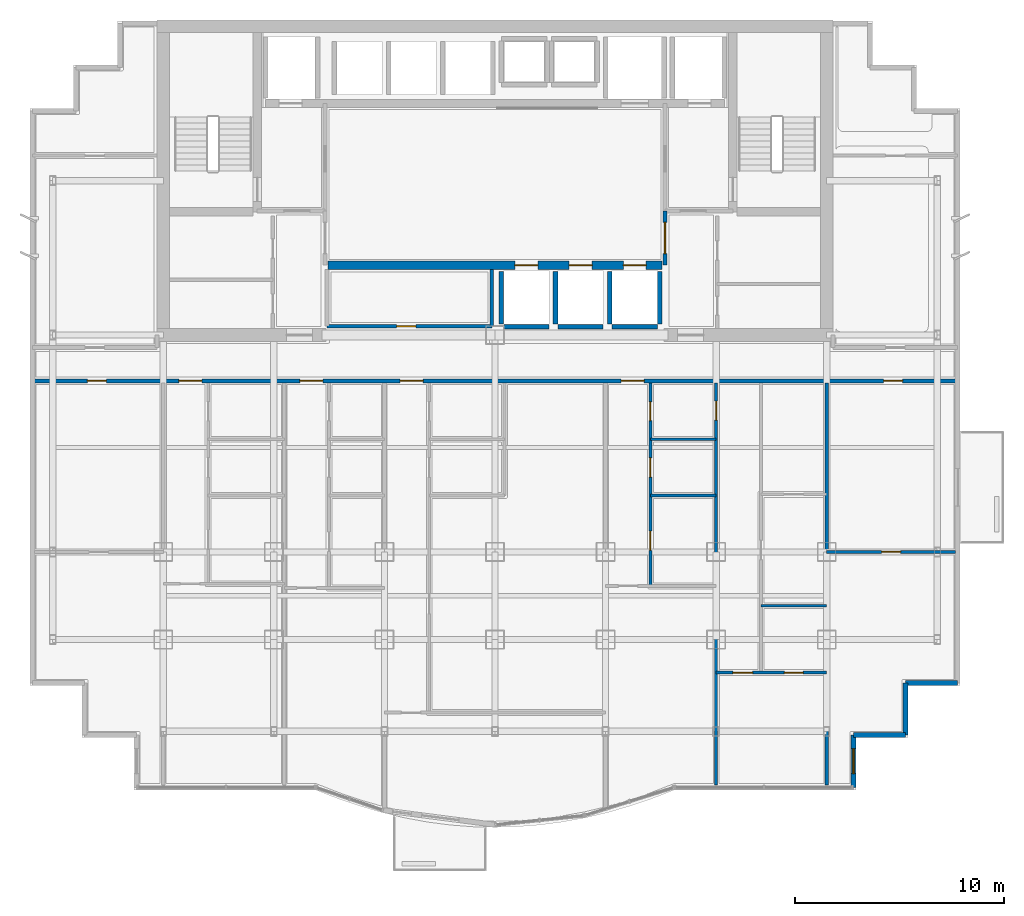
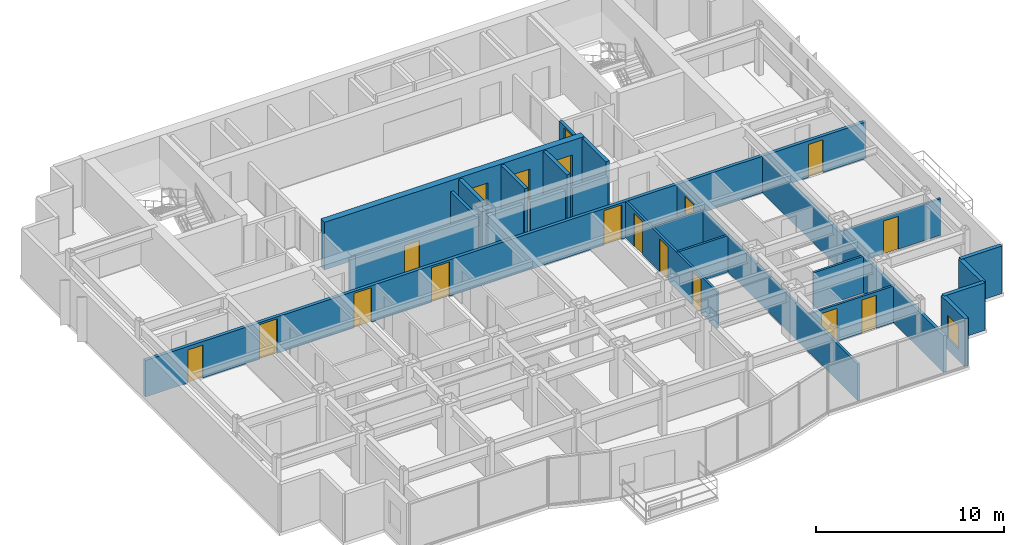
# One storey, part 7 of 11: 24 walls, 18 doors, 1 window, 19 openings.
"""IFC4 building model written with IfcOpenShell, lengths in metres."""

import ifcopenshell
import ifcopenshell.guid

model = None  # the IFC model being written
_history = None  # IfcOwnerHistory: only IFC2X3 demands one
_inside = {}  # id of a spatial element -> (the spatial element, [elements in it])
_under = {}  # id of a project, library or spatial element -> (it, [spatial elements below it])
_declared = {}  # id of a project -> (the project, [libraries it declares])
_typed = {}  # id of a type object -> (the type object, [elements of that type])
_made_of = {}  # id of a material, layer set ... -> (it, [elements and type objects made of it])


def new_model(schema):
    """Start an empty IFC model of exactly this schema.

    Asked for "IFC4X3", IfcOpenShell would pick the latest addendum, in which some entities
    have other attributes; the version numbers below select the first issue.
    IFC2X3 requires an IfcOwnerHistory on every rooted entity: one is made here for all.
    """
    global model, _history
    if schema == "IFC4X3":
        model = ifcopenshell.file(schema_version=(4, 3, 0, 0))
    else:
        model = ifcopenshell.file(schema=schema)
    _inside.clear()
    _under.clear()
    _declared.clear()
    _typed.clear()
    _made_of.clear()
    _history = None
    if model.schema == "IFC2X3":
        org = make("IfcOrganization", Name="unknown")
        user = make(
            "IfcPersonAndOrganization",
            ThePerson=make("IfcPerson", FamilyName="unknown"),
            TheOrganization=org,
        )
        app = make(
            "IfcApplication",
            ApplicationDeveloper=org,
            Version="unknown",
            ApplicationFullName="unknown",
            ApplicationIdentifier="unknown",
        )
        _history = make(
            "IfcOwnerHistory",
            OwningUser=user,
            OwningApplication=app,
            ChangeAction="ADDED",
            CreationDate=0,
        )
    return model


def make(cls, **values):
    """One entity of the class cls with the attributes given. An attribute that is None is left unset."""
    return model.create_entity(
        cls, **{name: value for name, value in values.items() if value is not None}
    )


def rooted(cls, **values):
    """An entity with a GlobalId (a new one), such as an element, a storey or a relation."""
    return make(cls, GlobalId=ifcopenshell.guid.new(), OwnerHistory=_history, **values)


def si_unit(unit_type, name, prefix=None):
    """IfcSIUnit, for example si_unit("LENGTHUNIT", "METRE", prefix="MILLI")."""
    return make("IfcSIUnit", UnitType=unit_type, Prefix=prefix, Name=name)


def assignment(units):
    """IfcUnitAssignment: the units of a project."""
    return None if units is None else make("IfcUnitAssignment", Units=units)


def point(xyz):
    """IfcCartesianPoint."""
    return None if xyz is None else make("IfcCartesianPoint", Coordinates=xyz)


def direction(xyz):
    """IfcDirection."""
    return None if xyz is None else make("IfcDirection", DirectionRatios=xyz)


def frame(location, z_axis=None, x_axis=None):
    """IfcAxis2Placement3D, a coordinate frame: its origin and axes. An axis left out is left unset."""
    return make(
        "IfcAxis2Placement3D",
        Location=point(location),
        Axis=direction(z_axis),
        RefDirection=direction(x_axis),
    )


def frame_2d(location, x_axis=None):
    """IfcAxis2Placement2D, a coordinate frame in the plane: its origin and x axis."""
    return make(
        "IfcAxis2Placement2D", Location=point(location), RefDirection=direction(x_axis)
    )


def origin():
    """The frame at (0, 0, 0) with its axes left unset."""
    return frame((0.0, 0.0, 0.0))


def place(relative_to, where):
    """IfcLocalPlacement: puts the frame where relative to a parent placement (None: the world)."""
    return make(
        "IfcLocalPlacement", PlacementRelTo=relative_to, RelativePlacement=where
    )


def context(
    kind, dimensions, precision=None, world=None, true_north=None, identifier=None
):
    """IfcGeometricRepresentationContext, for example the 3D "Model" context."""
    return make(
        "IfcGeometricRepresentationContext",
        ContextIdentifier=identifier,
        ContextType=kind,
        CoordinateSpaceDimension=dimensions,
        Precision=precision,
        WorldCoordinateSystem=world,
        TrueNorth=true_north,
    )


def subcontext(parent, identifier, kind, view, scale=None):
    """IfcGeometricRepresentationSubContext, for example "Body" below "Model"."""
    return make(
        "IfcGeometricRepresentationSubContext",
        ContextIdentifier=identifier,
        ContextType=kind,
        ParentContext=parent,
        TargetScale=scale,
        TargetView=view,
    )


def project(units=None, contexts=None):
    """IfcProject with its units and contexts."""
    return rooted(
        "IfcProject",
        Name="project",
        RepresentationContexts=contexts,
        UnitsInContext=assignment(units),
    )


def spatial(cls, under=None, at=None, **own):
    """A site, building, storey or space (cls), placed at a placement, below another one or the project."""
    s = rooted(cls, ObjectPlacement=at, **own)
    if under is not None:
        _under.setdefault(under.id(), (under, []))[1].append(s)
    return s


def profile(cls, at=None, kind="AREA", **sizes):
    """A parametric profile (cls). Its sizes go by their IFC names, for example OverallWidth=200.0."""
    return make(cls, ProfileType=kind, Position=at, **sizes)


def rectangle(**sizes):
    """IfcRectangleProfileDef."""
    return profile("IfcRectangleProfileDef", **sizes)


def extrude(swept, where, along, depth):
    """IfcExtrudedAreaSolid: the profile swept, set in the frame where, extruded along a direction by depth."""
    return make(
        "IfcExtrudedAreaSolid",
        SweptArea=swept,
        Position=where,
        ExtrudedDirection=direction(along),
        Depth=depth,
    )


def shape(context_of_items, identifier, shape_type, items):
    """IfcShapeRepresentation: the items that make up one representation, for example the "Body"."""
    return make(
        "IfcShapeRepresentation",
        ContextOfItems=context_of_items,
        RepresentationIdentifier=identifier,
        RepresentationType=shape_type,
        Items=items,
    )


def material(Name=None, Category=None):
    """IfcMaterial."""
    return make("IfcMaterial", Name=Name, Category=Category)


def layer(
    of_material, thickness, ventilated=None, Name=None, Category=None, Priority=None
):
    """IfcMaterialLayer: one layer of a wall or slab, of a material (None: an air gap)."""
    return make(
        "IfcMaterialLayer",
        Material=of_material,
        LayerThickness=thickness,
        IsVentilated=ventilated,
        Name=Name,
        Category=Category,
        Priority=Priority,
    )


def layer_set(layers, Name=None):
    """IfcMaterialLayerSet."""
    return make("IfcMaterialLayerSet", MaterialLayers=layers, LayerSetName=Name)


def made_of(thing, what):
    """Note that an element or type object is made of a material, layer set ...; save() writes the relation."""
    if what is not None:
        _made_of.setdefault(what.id(), (what, []))[1].append(thing)
    return thing


def type_object(cls, material=None, **own):
    """A type object (cls), such as IfcWallType, which elements share."""
    return made_of(rooted(cls, **own), material)


def element(
    cls,
    number,
    at=None,
    inside=None,
    cuts=None,
    type_object=None,
    material=None,
    context=None,
    identifier="Body",
    shape_type=None,
    held_by="IfcProductDefinitionShape",
    body=None,
    shapes=None,
    **own,
):
    """One element of the class cls, such as IfcWall. Its Tag is "e" and its number.

    at: its placement. inside: the storey or other place that contains it. cuts: it is an
    opening in that element (IfcRelVoidsElement). A single representation is given by context,
    identifier, shape_type and body (its items); several are given by shapes. held_by: the class
    of the entity that holds the representations. save() writes the other relations.
    """
    e = rooted(cls, Tag="e%d" % number, ObjectPlacement=at, **own)
    if body is not None:
        shapes = [shape(context, identifier, shape_type, body)]
    if shapes is not None:
        e.Representation = make(held_by, Representations=shapes)
    if inside is not None:
        _inside.setdefault(inside.id(), (inside, []))[1].append(e)
    if cuts is not None:
        rooted(
            "IfcRelVoidsElement", RelatingBuildingElement=cuts, RelatedOpeningElement=e
        )
    if type_object is not None:
        _typed.setdefault(type_object.id(), (type_object, []))[1].append(e)
    return made_of(e, material)


def fill(opening, filler):
    """IfcRelFillsElement: the door or window that sits in an opening."""
    return rooted(
        "IfcRelFillsElement",
        RelatingOpeningElement=opening,
        RelatedBuildingElement=filler,
    )


def aggregate(whole, parts):
    """IfcRelAggregates: a whole, such as a stair, and the parts it consists of."""
    return rooted("IfcRelAggregates", RelatingObject=whole, RelatedObjects=parts)


def save(model, path):
    """Write the relations noted so far, then the file.

    IfcRelAggregates (storeys below a building ...), IfcRelContainedInSpatialStructure (elements
    in a storey), IfcRelDefinesByType, IfcRelAssociatesMaterial and IfcRelDeclares: one each for
    every whole, place, type object, material and project.
    """
    for whole, parts in _under.values():
        aggregate(whole, parts)
    for where, things in _inside.values():
        rooted(
            "IfcRelContainedInSpatialStructure",
            RelatedElements=things,
            RelatingStructure=where,
        )
    for kind, things in _typed.values():
        rooted("IfcRelDefinesByType", RelatedObjects=things, RelatingType=kind)
    for what, things in _made_of.values():
        rooted("IfcRelAssociatesMaterial", RelatedObjects=things, RelatingMaterial=what)
    for by, libraries in _declared.values():
        rooted("IfcRelDeclares", RelatingContext=by, RelatedDefinitions=libraries)
    model.write(path)


model = new_model("IFC4")

# Units and contexts
model_context = context("Model", 3, precision=1e-05, world=origin(), true_north=direction((0.0, 1.0)))
body_context = subcontext(model_context, "Body", "Model", "MODEL_VIEW")
ifc_project = project(units=[si_unit("LENGTHUNIT", "METRE"), si_unit("AREAUNIT", "SQUARE_METRE"), si_unit("VOLUMEUNIT", "CUBIC_METRE"), si_unit("PLANEANGLEUNIT", "RADIAN"), si_unit("MASSUNIT", "GRAM", prefix="KILO")], contexts=[model_context])

# Site, building, storey
site_placement = place(None, origin())
site = spatial("IfcSite", under=ifc_project, at=site_placement, CompositionType="ELEMENT")
building_placement = place(site_placement, origin())
building = spatial("IfcBuilding", under=site, at=building_placement, Name="Qianlan Lanfeng Residences", CompositionType="ELEMENT")
storey_placement = place(building_placement, frame((0.0, 0.0, 145.800048828125)))
storey = spatial("IfcBuildingStorey", under=building, at=storey_placement, Name="L39", CompositionType="ELEMENT", Elevation=145.800048828125)

# Wall, openings, doors
ifc_material_1 = material(Name="Concrete C56", Category="concrete")
ifc_layer_1 = layer(ifc_material_1, 0.39990234375)
ifc_layer_set_1 = layer_set([ifc_layer_1], Name="Concrete C56")
wall_type_1 = type_object("IfcWallType", Name="CW-RC-400", PredefinedType="SHEAR", material=ifc_layer_set_1)
wall_1_placement = place(storey_placement, frame((18.5, 28.550048828125, 0.0), z_axis=(0.0, 0.0, 1.0), x_axis=(1.0, 0.0, 0.0)))
wall_1 = element("IfcWall", 1, at=wall_1_placement, inside=storey, type_object=wall_type_1, Name="L39 Core Shear Wall LBS", PredefinedType="SHEAR", context=body_context, shape_type="SweptSolid", body=[
    extrude(rectangle(XDim=16.0, YDim=0.39990234375, at=frame_2d((8.0, 0.0))), origin(), (0.0, 0.0, 1.0), 3.099853515625),
])
opening_1_placement = place(wall_1_placement, frame((8.949951171875, 0.0, 0.0)))
opening_1 = element("IfcOpeningElement", 2, at=opening_1_placement, cuts=wall_1, Name="Opening L39-LD-PL-M1", PredefinedType="OPENING", context=body_context, shape_type="SweptSolid", body=[
    extrude(rectangle(XDim=1.10009765625, YDim=2.14990234375, at=frame_2d((0.550048828125, 1.074951171875))), frame((0.0, 0.2099609375, 0.0), z_axis=(0.0, -1.0, 0.0), x_axis=(1.0, 0.0, 0.0)), (0.0, 0.0, 1.0), 0.419921875),
])
opening_2_placement = place(wall_1_placement, frame((11.550048828125, 0.0, 0.0)))
opening_2 = element("IfcOpeningElement", 3, at=opening_2_placement, cuts=wall_1, Name="Opening L39-LD-PL-M2", PredefinedType="OPENING", context=body_context, shape_type="SweptSolid", body=[
    extrude(rectangle(XDim=1.10009765625, YDim=2.14990234375, at=frame_2d((0.550048828125, 1.074951171875))), frame((0.0, 0.2099609375, 0.0), z_axis=(0.0, -1.0, 0.0), x_axis=(1.0, 0.0, 0.0)), (0.0, 0.0, 1.0), 0.419921875),
])
opening_3_placement = place(wall_1_placement, frame((14.14990234375, 0.0, 0.0)))
opening_3 = element("IfcOpeningElement", 4, at=opening_3_placement, cuts=wall_1, Name="Opening L39-LD-PL-M3", PredefinedType="OPENING", context=body_context, shape_type="SweptSolid", body=[
    extrude(rectangle(XDim=1.10009765625, YDim=2.14990234375, at=frame_2d((0.550048828125, 1.074951171875))), frame((0.0, 0.2099609375, 0.0), z_axis=(0.0, -1.0, 0.0), x_axis=(1.0, 0.0, 0.0)), (0.0, 0.0, 1.0), 0.419921875),
])
ifc_material_2 = material(Name="Brushed Stainless Steel Sliding Lift Door", Category="steel")
door_type_1 = type_object("IfcDoorType", Name="LD-01", OperationType="NOTDEFINED", PredefinedType="DOOR", material=ifc_material_2)
door_1_placement = place(opening_1_placement, origin())
door_1 = element("IfcDoor", 5, at=door_1_placement, inside=storey, type_object=door_type_1, Name="L39 Elevator PL-M1 Sliding Landing Door", OperationType="DOUBLE_DOOR_SLIDING", OverallHeight=2.14990234375, OverallWidth=1.10009765625, PredefinedType="DOOR", context=body_context, shape_type="SweptSolid", body=[
    extrude(rectangle(XDim=1.10009765625, YDim=2.14990234375, at=frame_2d((0.550048828125, 1.074951171875))), frame((0.0, 0.02490234375, 0.0), z_axis=(0.0, -1.0, 0.0), x_axis=(1.0, 0.0, 0.0)), (0.0, 0.0, 1.0), 0.050048828125),
])
fill(opening_1, door_1)
door_2_placement = place(opening_2_placement, origin())
door_2 = element("IfcDoor", 6, at=door_2_placement, inside=storey, type_object=door_type_1, Name="L39 Elevator PL-M2 Sliding Landing Door", OperationType="DOUBLE_DOOR_SLIDING", OverallHeight=2.14990234375, OverallWidth=1.10009765625, PredefinedType="DOOR", context=body_context, shape_type="SweptSolid", body=[
    extrude(rectangle(XDim=1.10009765625, YDim=2.14990234375, at=frame_2d((0.550048828125, 1.074951171875))), frame((0.0, 0.02490234375, 0.0), z_axis=(0.0, -1.0, 0.0), x_axis=(1.0, 0.0, 0.0)), (0.0, 0.0, 1.0), 0.050048828125),
])
fill(opening_2, door_2)
door_3_placement = place(opening_3_placement, origin())
door_3 = element("IfcDoor", 7, at=door_3_placement, inside=storey, type_object=door_type_1, Name="L39 Elevator PL-M3 Sliding Landing Door", OperationType="DOUBLE_DOOR_SLIDING", OverallHeight=2.14990234375, OverallWidth=1.10009765625, PredefinedType="DOOR", context=body_context, shape_type="SweptSolid", body=[
    extrude(rectangle(XDim=1.10009765625, YDim=2.14990234375, at=frame_2d((0.550048828125, 1.074951171875))), frame((0.0, 0.02490234375, 0.0), z_axis=(0.0, -1.0, 0.0), x_axis=(1.0, 0.0, 0.0)), (0.0, 0.0, 1.0), 0.050048828125),
])
fill(opening_3, door_3)

# Wall, opening, window
ifc_material_3 = material(Name="Concrete C42", Category="concrete")
ifc_layer_2 = layer(ifc_material_3, 0.239990234375)
ifc_layer_set_2 = layer_set([ifc_layer_2], Name="Concrete C42")
wall_type_2 = type_object("IfcWallType", Name="EW-240", PredefinedType="SOLIDWALL", material=ifc_layer_set_2)
wall_2_placement = place(storey_placement, frame((43.679931640625, 3.52001953125, 0.0), z_axis=(0.0, 0.0, 1.0), x_axis=(0.0, 1.0, 0.0)))
wall_2 = element("IfcWall", 8, at=wall_2_placement, inside=storey, type_object=wall_type_2, Name="L39 Exterior Facade Spandrel Wall 6", PredefinedType="SOLIDWALL", context=body_context, shape_type="SweptSolid", body=[
    extrude(rectangle(XDim=2.5, YDim=0.239990234375, at=frame_2d((1.25, 0.0))), origin(), (0.0, 0.0, 1.0), 3.099853515625),
])
opening_4_placement = place(wall_2_placement, frame((0.64990234375, 0.0, 0.75)))
opening_4 = element("IfcOpeningElement", 9, at=opening_4_placement, cuts=wall_2, Name="Opening W-03", PredefinedType="OPENING", context=body_context, shape_type="SweptSolid", body=[
    extrude(rectangle(XDim=1.199951171875, YDim=1.5, at=frame_2d((0.60009765625, 0.75))), frame((0.0, 0.1298828125, 0.0), z_axis=(0.0, -1.0, 0.0), x_axis=(1.0, 0.0, 0.0)), (0.0, 0.0, 1.0), 0.260009765625),
])
ifc_material_4 = material(Name="Anodised Bronze Aluminium Framed Double Glazing", Category="aluminium")
window_type = type_object("IfcWindowType", Name="W-03", PartitioningType="SINGLE_PANEL", PredefinedType="WINDOW", material=ifc_material_4)
window_placement = place(opening_4_placement, origin())
window = element("IfcWindow", 10, at=window_placement, inside=storey, type_object=window_type, Name="L39 Facade Punched Window W-03", OverallHeight=1.5, OverallWidth=1.199951171875, PartitioningType="SINGLE_PANEL", PredefinedType="WINDOW", context=body_context, shape_type="SweptSolid", body=[
    extrude(rectangle(XDim=1.199951171875, YDim=1.5, at=frame_2d((0.60009765625, 0.75))), frame((0.0, 0.030029296875, 0.0), z_axis=(0.0, -1.0, 0.0), x_axis=(1.0, 0.0, 0.0)), (0.0, 0.0, 1.0), 0.06005859375),
])
fill(opening_4, window)

# Walls
for number, where, z_axis, x_axis, name in (
    (11, (43.679931640625, 6.02001953125, 0.0), (0.0, 0.0, 1.0), (1.0, 0.0, 0.0), "L39 Exterior Facade Spandrel Wall 7"),
    (12, (46.179931640625, 6.02001953125, 0.0), (0.0, 0.0, 1.0), (0.0, 1.0, 0.0), "L39 Exterior Facade Spandrel Wall 8"),
    (13, (46.179931640625, 8.52001953125, 0.0), (0.0, 0.0, 1.0), (1.0, 0.0, 0.0), "L39 Exterior Facade Spandrel Wall 9"),
):
    element("IfcWall", number, at=place(storey_placement, frame(where, z_axis=z_axis, x_axis=x_axis)), inside=storey, type_object=wall_type_2, Name=name, PredefinedType="SOLIDWALL", context=body_context, shape_type="SweptSolid", body=[
        extrude(rectangle(XDim=2.5, YDim=0.239990234375, at=frame_2d((1.25, 0.0))), origin(), (0.0, 0.0, 1.0), 3.099853515625),
    ])

# Wall, opening, door
ifc_material_5 = material(Name="Moisture-Resistant Gypsum Partition 135 mm")
ifc_layer_3 = layer(ifc_material_5, 0.135009765625)
ifc_layer_set_3 = layer_set([ifc_layer_3], Name="Moisture-Resistant Gypsum Partition 135 mm")
wall_type_3 = type_object("IfcWallType", Name="PW-135", PredefinedType="PARTITIONING", material=ifc_layer_set_3)
wall_3_placement = place(storey_placement, frame((37.10009765625, 3.6201171875, 0.0), z_axis=(0.0, 0.0, 1.0), x_axis=(0.0, 1.0, 0.0)))
wall_3 = element("IfcWall", 14, at=wall_3_placement, inside=storey, type_object=wall_type_3, Name="L39 U04 Bay Spine Wall 1", PredefinedType="PARTITIONING", context=body_context, shape_type="SweptSolid", body=[
    extrude(rectangle(XDim=19.27978515625, YDim=0.135009765625, at=frame_2d((9.639892578125, 0.0))), origin(), (0.0, 0.0, 1.0), 2.3798828125),
])
opening_5_placement = place(wall_3_placement, frame((17.4951171875, 0.0, 0.0)))
opening_5 = element("IfcOpeningElement", 15, at=opening_5_placement, cuts=wall_3, Name="Opening L39-D32", PredefinedType="OPENING", context=body_context, shape_type="SweptSolid", body=[
    extrude(rectangle(XDim=0.919921875, YDim=2.14990234375, at=frame_2d((0.4599609375, 1.074951171875))), frame((0.0, 0.07763671875, 0.0), z_axis=(0.0, -1.0, 0.0), x_axis=(1.0, 0.0, 0.0)), (0.0, 0.0, 1.0), 0.155029296875),
])
ifc_material_6 = material(Name="Glazed Timber Kitchen/Study Door", Category="wood")
door_type_2 = type_object("IfcDoorType", Name="DT-INT", OperationType="NOTDEFINED", PredefinedType="DOOR", material=ifc_material_6)
door_4_placement = place(opening_5_placement, origin())
door_4 = element("IfcDoor", 16, at=door_4_placement, inside=storey, type_object=door_type_2, Name="L39 U04 Internal Hall Door L39-D32 (DT-INT)", OperationType="SINGLE_SWING_RIGHT", OverallHeight=2.14990234375, OverallWidth=0.919921875, PredefinedType="DOOR", context=body_context, shape_type="SweptSolid", body=[
    extrude(rectangle(XDim=0.919921875, YDim=2.14990234375, at=frame_2d((0.4599609375, 1.074951171875))), frame((0.0, 0.02490234375, 0.0), z_axis=(0.0, -1.0, 0.0), x_axis=(1.0, 0.0, 0.0)), (0.0, 0.0, 1.0), 0.050048828125),
])
fill(opening_5, door_4)

# Wall, openings, doors
wall_4_placement = place(storey_placement, frame((33.949951171875, 13.174072265625, 0.0), z_axis=(0.0, 0.0, 1.0), x_axis=(0.0, 1.0, 0.0)))
wall_4 = element("IfcWall", 17, at=wall_4_placement, inside=storey, type_object=wall_type_3, Name="L39 U04 Entry Hall Spine", PredefinedType="PARTITIONING", context=body_context, shape_type="SweptSolid", body=[
    extrude(rectangle(XDim=9.725830078125, YDim=0.135009765625, at=frame_2d((4.86279296875, 0.0))), origin(), (0.0, 0.0, 1.0), 2.3798828125),
])
opening_6_placement = place(wall_4_placement, frame((1.702880859375, 0.0, 0.0)))
opening_6 = element("IfcOpeningElement", 18, at=opening_6_placement, cuts=wall_4, Name="Opening L39-D34", PredefinedType="OPENING", context=body_context, shape_type="SweptSolid", body=[
    extrude(rectangle(XDim=0.919921875, YDim=2.14990234375, at=frame_2d((0.4599609375, 1.074951171875))), frame((0.0, 0.07763671875, 0.0), z_axis=(0.0, -1.0, 0.0), x_axis=(1.0, 0.0, 0.0)), (0.0, 0.0, 1.0), 0.155029296875),
])
opening_7_placement = place(wall_4_placement, frame((5.216064453125, 0.0, 0.0)))
opening_7 = element("IfcOpeningElement", 19, at=opening_7_placement, cuts=wall_4, Name="Opening L39-D35", PredefinedType="OPENING", context=body_context, shape_type="SweptSolid", body=[
    extrude(rectangle(XDim=0.919921875, YDim=2.14990234375, at=frame_2d((0.4599609375, 1.074951171875))), frame((0.0, 0.07763671875, 0.0), z_axis=(0.0, -1.0, 0.0), x_axis=(1.0, 0.0, 0.0)), (0.0, 0.0, 1.0), 0.155029296875),
])
opening_8_placement = place(wall_4_placement, frame((7.926025390625, 0.0, 0.0)))
opening_8 = element("IfcOpeningElement", 20, at=opening_8_placement, cuts=wall_4, Name="Opening L39-D36", PredefinedType="OPENING", context=body_context, shape_type="SweptSolid", body=[
    extrude(rectangle(XDim=0.89990234375, YDim=2.14990234375, at=frame_2d((0.449951171875, 1.074951171875))), frame((0.0, 0.07763671875, 0.0), z_axis=(0.0, -1.0, 0.0), x_axis=(1.0, 0.0, 0.0)), (0.0, 0.0, 1.0), 0.155029296875),
])
door_5_placement = place(opening_6_placement, origin())
door_5 = element("IfcDoor", 21, at=door_5_placement, inside=storey, type_object=door_type_2, Name="L39 U04 Study Door L39-D34 (DT-INT)", OperationType="SINGLE_SWING_RIGHT", OverallHeight=2.14990234375, OverallWidth=0.919921875, PredefinedType="DOOR", context=body_context, shape_type="SweptSolid", body=[
    extrude(rectangle(XDim=0.919921875, YDim=2.14990234375, at=frame_2d((0.4599609375, 1.074951171875))), frame((0.0, 0.02490234375, 0.0), z_axis=(0.0, -1.0, 0.0), x_axis=(1.0, 0.0, 0.0)), (0.0, 0.0, 1.0), 0.050048828125),
])
fill(opening_6, door_5)
door_6_placement = place(opening_7_placement, origin())
door_6 = element("IfcDoor", 22, at=door_6_placement, inside=storey, type_object=door_type_2, Name="L39 U04 Kitchen Door L39-D35 (DT-INT)", OperationType="SINGLE_SWING_LEFT", OverallHeight=2.14990234375, OverallWidth=0.919921875, PredefinedType="DOOR", context=body_context, shape_type="SweptSolid", body=[
    extrude(rectangle(XDim=0.919921875, YDim=2.14990234375, at=frame_2d((0.4599609375, 1.074951171875))), frame((0.0, 0.02490234375, 0.0), z_axis=(0.0, -1.0, 0.0), x_axis=(1.0, 0.0, 0.0)), (0.0, 0.0, 1.0), 0.050048828125),
])
fill(opening_7, door_6)
ifc_material_7 = material(Name="Moisture-Resistant Timber Leaf", Category="wood")
door_type_3 = type_object("IfcDoorType", Name="DT-WC", OperationType="NOTDEFINED", PredefinedType="DOOR", material=ifc_material_7)
door_7_placement = place(opening_8_placement, origin())
door_7 = element("IfcDoor", 23, at=door_7_placement, inside=storey, type_object=door_type_3, Name="L39 U04 Bathroom Door L39-D36 (DT-WC)", OperationType="SINGLE_SWING_RIGHT", OverallHeight=2.14990234375, OverallWidth=0.89990234375, PredefinedType="DOOR", context=body_context, shape_type="SweptSolid", body=[
    extrude(rectangle(XDim=0.89990234375, YDim=2.14990234375, at=frame_2d((0.449951171875, 1.074951171875))), frame((0.0, 0.02490234375, 0.0), z_axis=(0.0, -1.0, 0.0), x_axis=(1.0, 0.0, 0.0)), (0.0, 0.0, 1.0), 0.050048828125),
])
fill(opening_8, door_7)

# Walls
for number, where, z_axis, x_axis, name in (
    (24, (33.949951171875, 17.5, 0.0), (0.0, 0.0, 1.0), (1.0, 0.0, 0.0), "L39 U04 Kitchen South Wall"),
    (25, (33.949951171875, 20.199951171875, 0.0), (0.0, 0.0, 1.0), (1.0, 0.0, 0.0), "L39 U04 Bathroom South Wall"),
):
    element("IfcWall", number, at=place(storey_placement, frame(where, z_axis=z_axis, x_axis=x_axis)), inside=storey, type_object=wall_type_3, Name=name, PredefinedType="PARTITIONING", context=body_context, shape_type="SweptSolid", body=[
        extrude(rectangle(XDim=3.150146484375, YDim=0.135009765625, at=frame_2d((1.5751953125, 0.0))), origin(), (0.0, 0.0, 1.0), 2.3798828125),
    ])

# Wall, openings, doors
wall_5_placement = place(storey_placement, frame((37.10009765625, 9.02001953125, 0.0), z_axis=(0.0, 0.0, 1.0), x_axis=(1.0, 0.0, 0.0)))
wall_5 = element("IfcWall", 26, at=wall_5_placement, inside=storey, type_object=wall_type_3, Name="L39 U04 Master Bedroom North Wall", PredefinedType="PARTITIONING", context=body_context, shape_type="SweptSolid", body=[
    extrude(rectangle(XDim=5.2998046875, YDim=0.135009765625, at=frame_2d((2.64990234375, 0.0))), origin(), (0.0, 0.0, 1.0), 2.3798828125),
])
opening_9_placement = place(wall_5_placement, frame((0.800048828125, 0.0, 0.0)))
opening_9 = element("IfcOpeningElement", 27, at=opening_9_placement, cuts=wall_5, Name="Opening L39-D37", PredefinedType="OPENING", context=body_context, shape_type="SweptSolid", body=[
    extrude(rectangle(XDim=0.949951171875, YDim=2.14990234375, at=frame_2d((0.47509765625, 1.074951171875))), frame((0.0, 0.07763671875, 0.0), z_axis=(0.0, -1.0, 0.0), x_axis=(1.0, 0.0, 0.0)), (0.0, 0.0, 1.0), 0.155029296875),
])
opening_10_placement = place(wall_5_placement, frame((3.27490234375, 0.0, 0.0)))
opening_10 = element("IfcOpeningElement", 28, at=opening_10_placement, cuts=wall_5, Name="Opening L39-D38", PredefinedType="OPENING", context=body_context, shape_type="SweptSolid", body=[
    extrude(rectangle(XDim=0.89990234375, YDim=2.14990234375, at=frame_2d((0.449951171875, 1.074951171875))), frame((0.0, 0.07763671875, 0.0), z_axis=(0.0, -1.0, 0.0), x_axis=(1.0, 0.0, 0.0)), (0.0, 0.0, 1.0), 0.155029296875),
])
ifc_material_8 = material(Name="Painted Solid-Core Timber Leaf", Category="wood")
door_type_4 = type_object("IfcDoorType", Name="DT-BED", OperationType="NOTDEFINED", PredefinedType="DOOR", material=ifc_material_8)
door_8_placement = place(opening_9_placement, origin())
door_8 = element("IfcDoor", 29, at=door_8_placement, inside=storey, type_object=door_type_4, Name="L39 U04 Master Bedroom Door L39-D37 (DT-BED)", OperationType="SINGLE_SWING_LEFT", OverallHeight=2.14990234375, OverallWidth=0.949951171875, PredefinedType="DOOR", context=body_context, shape_type="SweptSolid", body=[
    extrude(rectangle(XDim=0.949951171875, YDim=2.14990234375, at=frame_2d((0.47509765625, 1.074951171875))), frame((0.0, 0.02490234375, 0.0), z_axis=(0.0, -1.0, 0.0), x_axis=(1.0, 0.0, 0.0)), (0.0, 0.0, 1.0), 0.050048828125),
])
fill(opening_9, door_8)
door_9_placement = place(opening_10_placement, origin())
door_9 = element("IfcDoor", 30, at=door_9_placement, inside=storey, type_object=door_type_3, Name="L39 U04 En-Suite Bathroom Door L39-D38 (DT-WC)", OperationType="SINGLE_SWING_RIGHT", OverallHeight=2.14990234375, OverallWidth=0.89990234375, PredefinedType="DOOR", context=body_context, shape_type="SweptSolid", body=[
    extrude(rectangle(XDim=0.89990234375, YDim=2.14990234375, at=frame_2d((0.449951171875, 1.074951171875))), frame((0.0, 0.02490234375, 0.0), z_axis=(0.0, -1.0, 0.0), x_axis=(1.0, 0.0, 0.0)), (0.0, 0.0, 1.0), 0.050048828125),
])
fill(opening_10, door_9)

# Wall
wall_6_placement = place(storey_placement, frame((39.25, 12.219970703125, 0.0), z_axis=(0.0, 0.0, 1.0), x_axis=(1.0, 0.0, 0.0)))
element("IfcWall", 31, at=wall_6_placement, inside=storey, type_object=wall_type_3, Name="L39 U04 En-Suite North Wall", PredefinedType="PARTITIONING", context=body_context, shape_type="SweptSolid", body=[
    extrude(rectangle(XDim=3.14990234375, YDim=0.135009765625, at=frame_2d((1.574951171875, 0.0))), origin(), (0.0, 0.0, 1.0), 2.3798828125),
])

# Wall, opening, door
wall_7_placement = place(storey_placement, frame((42.39990234375, 14.800048828125, 0.0), z_axis=(0.0, 0.0, 1.0), x_axis=(1.0, 0.0, 0.0)))
wall_7 = element("IfcWall", 32, at=wall_7_placement, inside=storey, type_object=wall_type_3, Name="L39 SEP Mid Partition", PredefinedType="PARTITIONING", context=body_context, shape_type="SweptSolid", body=[
    extrude(rectangle(XDim=6.18017578125, YDim=0.135009765625, at=frame_2d((3.090087890625, 0.0))), origin(), (0.0, 0.0, 1.0), 2.3798828125),
])
opening_11_placement = place(wall_7_placement, frame((2.6298828125, 0.0, 0.0)))
opening_11 = element("IfcOpeningElement", 33, at=opening_11_placement, cuts=wall_7, Name="Opening L39-D43", PredefinedType="OPENING", context=body_context, shape_type="SweptSolid", body=[
    extrude(rectangle(XDim=0.919921875, YDim=2.14990234375, at=frame_2d((0.4599609375, 1.074951171875))), frame((0.0, 0.07763671875, 0.0), z_axis=(0.0, -1.0, 0.0), x_axis=(1.0, 0.0, 0.0)), (0.0, 0.0, 1.0), 0.155029296875),
])
door_10_placement = place(opening_11_placement, origin())
door_10 = element("IfcDoor", 34, at=door_10_placement, inside=storey, type_object=door_type_2, Name="L39 SEP Inner Door L39-D43 (DT-INT)", OperationType="SINGLE_SWING_LEFT", OverallHeight=2.14990234375, OverallWidth=0.919921875, PredefinedType="DOOR", context=body_context, shape_type="SweptSolid", body=[
    extrude(rectangle(XDim=0.919921875, YDim=2.14990234375, at=frame_2d((0.4599609375, 1.074951171875))), frame((0.0, 0.02490234375, 0.0), z_axis=(0.0, -1.0, 0.0), x_axis=(1.0, 0.0, 0.0)), (0.0, 0.0, 1.0), 0.050048828125),
])
fill(opening_11, door_10)

# Wall
ifc_material_9 = material(Name="Double-Layer Acoustic Gypsum Stud Wall 180 mm")
ifc_layer_4 = layer(ifc_material_9, 0.179931640625)
ifc_layer_set_4 = layer_set([ifc_layer_4], Name="Double-Layer Acoustic Gypsum Stud Wall 180 mm")
wall_type_4 = type_object("IfcWallType", Name="PW-180", PredefinedType="PARTITIONING", material=ifc_layer_set_4)
wall_8_placement = place(storey_placement, frame((26.35009765625, 25.6201171875, 0.0), z_axis=(0.0, 0.0, 1.0), x_axis=(0.0, 1.0, 0.0)))
element("IfcWall", 35, at=wall_8_placement, inside=storey, type_object=wall_type_4, Name="L39 Reclaimed Low-Bank Room East Wall", PredefinedType="PARTITIONING", context=body_context, shape_type="SweptSolid", body=[
    extrude(rectangle(XDim=2.72998046875, YDim=0.179931640625, at=frame_2d((1.364990234375, 0.0))), origin(), (0.0, 0.0, 1.0), 2.3798828125),
])

# Wall, opening, door
wall_9_placement = place(storey_placement, frame((18.449951171875, 25.6201171875, 0.0), z_axis=(0.0, 0.0, 1.0), x_axis=(1.0, 0.0, 0.0)))
wall_9 = element("IfcWall", 36, at=wall_9_placement, inside=storey, type_object=wall_type_4, Name="L39 Reclaimed Low-Bank Room South Wall", PredefinedType="PARTITIONING", context=body_context, shape_type="SweptSolid", body=[
    extrude(rectangle(XDim=7.900146484375, YDim=0.179931640625, at=frame_2d((3.9501953125, 0.0))), origin(), (0.0, 0.0, 1.0), 2.3798828125),
])
opening_12_placement = place(wall_9_placement, frame((3.340087890625, 0.0, 0.0)))
opening_12 = element("IfcOpeningElement", 37, at=opening_12_placement, cuts=wall_9, Name="Opening L39-D15", PredefinedType="OPENING", context=body_context, shape_type="SweptSolid", body=[
    extrude(rectangle(XDim=0.919921875, YDim=2.14990234375, at=frame_2d((0.4599609375, 1.074951171875))), frame((0.0, 0.10009765625, 0.0), z_axis=(0.0, -1.0, 0.0), x_axis=(1.0, 0.0, 0.0)), (0.0, 0.0, 1.0), 0.199951171875),
])
door_11_placement = place(opening_12_placement, origin())
door_11 = element("IfcDoor", 38, at=door_11_placement, inside=storey, type_object=door_type_2, Name="L39 Reclaimed Core Salon Door L39-D15 (DT-INT)", OperationType="SINGLE_SWING_LEFT", OverallHeight=2.14990234375, OverallWidth=0.919921875, PredefinedType="DOOR", context=body_context, shape_type="SweptSolid", body=[
    extrude(rectangle(XDim=0.919921875, YDim=2.14990234375, at=frame_2d((0.4599609375, 1.074951171875))), frame((0.0, 0.02490234375, 0.0), z_axis=(0.0, -1.0, 0.0), x_axis=(1.0, 0.0, 0.0)), (0.0, 0.0, 1.0), 0.050048828125),
])
fill(opening_12, door_11)

# Wall
wall_10_placement = place(storey_placement, frame((42.39990234375, 3.6201171875, 0.0), z_axis=(0.0, 0.0, 1.0), x_axis=(0.0, 1.0, 0.0)))
element("IfcWall", 39, at=wall_10_placement, inside=storey, type_object=wall_type_4, Name="L39 Wing Boundary Party Wall E0", PredefinedType="PARTITIONING", context=body_context, shape_type="SweptSolid", body=[
    extrude(rectangle(XDim=19.27978515625, YDim=0.179931640625, at=frame_2d((9.639892578125, 0.0))), origin(), (0.0, 0.0, 1.0), 2.3798828125),
])

# Wall, opening, door
ifc_material_10 = material(Name="Autoclaved Aerated Concrete Blockwork 200 mm", Category="masonry")
ifc_layer_5 = layer(ifc_material_10, 0.199951171875)
ifc_layer_set_5 = layer_set([ifc_layer_5], Name="Autoclaved Aerated Concrete Blockwork 200 mm")
wall_type_5 = type_object("IfcWallType", Name="PW-200", PredefinedType="PARTITIONING", material=ifc_layer_set_5)
wall_11_placement = place(storey_placement, frame((34.64990234375, 28.550048828125, 0.0), z_axis=(0.0, 0.0, 1.0), x_axis=(0.0, 1.0, 0.0)))
wall_11 = element("IfcWall", 40, at=wall_11_placement, inside=storey, type_object=wall_type_5, Name="L39 Lift Lobby East Connector Wall", PredefinedType="PARTITIONING", context=body_context, shape_type="SweptSolid", body=[
    extrude(rectangle(XDim=2.599853515625, YDim=0.199951171875, at=frame_2d((1.2998046875, 0.0))), origin(), (0.0, 0.0, 1.0), 2.3798828125),
])
opening_13_placement = place(wall_11_placement, frame((0.550048828125, 0.0, 0.0)))
opening_13 = element("IfcOpeningElement", 41, at=opening_13_placement, cuts=wall_11, Name="Opening L39-D14", PredefinedType="OPENING", context=body_context, shape_type="SweptSolid", body=[
    extrude(rectangle(XDim=1.5, YDim=2.25, at=frame_2d((0.75, 1.125))), frame((0.0, 0.10986328125, 0.0), z_axis=(0.0, -1.0, 0.0), x_axis=(1.0, 0.0, 0.0)), (0.0, 0.0, 1.0), 0.219970703125),
])
ifc_material_11 = material(Name="Timber Veneer Acoustic Fire Door", Category="wood")
door_type_5 = type_object("IfcDoorType", Name="DT-COR1", OperationType="NOTDEFINED", PredefinedType="DOOR", material=ifc_material_11)
door_12_placement = place(opening_13_placement, frame((1.5, 0.0, 0.0), z_axis=(0.0, 0.0, 1.0), x_axis=(-1.0, 0.0, 0.0)))
door_12 = element("IfcDoor", 42, at=door_12_placement, inside=storey, type_object=door_type_5, Name="L39 Lift Lobby East Portal Door L39-D14 (DT-COR1)", OperationType="DOUBLE_DOOR_SINGLE_SWING", OverallHeight=2.25, OverallWidth=1.5, PredefinedType="DOOR", context=body_context, shape_type="SweptSolid", body=[
    extrude(rectangle(XDim=1.5, YDim=2.25, at=frame_2d((0.75, 1.125))), frame((0.0, 0.02490234375, 0.0), z_axis=(0.0, -1.0, 0.0), x_axis=(1.0, 0.0, 0.0)), (0.0, 0.0, 1.0), 0.050048828125),
])
fill(opening_13, door_12)

# Wall, openings, doors
wall_12_placement = place(storey_placement, frame((4.320068359375, 23.0, 0.0), z_axis=(0.0, 0.0, 1.0), x_axis=(1.0, 0.0, 0.0)))
wall_12 = element("IfcWall", 43, at=wall_12_placement, inside=storey, type_object=wall_type_5, Name="L39 Residential Corridor South Fire Wall", PredefinedType="PARTITIONING", context=body_context, shape_type="SweptSolid", body=[
    extrude(rectangle(XDim=44.35986328125, YDim=0.199951171875, at=frame_2d((22.179931640625, 0.0))), origin(), (0.0, 0.0, 1.0), 2.3798828125),
])
opening_14_placement = place(wall_12_placement, frame((7.030029296875, 0.0, 0.0)))
opening_14 = element("IfcOpeningElement", 44, at=opening_14_placement, cuts=wall_12, Name="Opening L39-D16", PredefinedType="OPENING", context=body_context, shape_type="SweptSolid", body=[
    extrude(rectangle(XDim=1.10009765625, YDim=2.25, at=frame_2d((0.550048828125, 1.125))), frame((0.0, 0.10986328125, 0.0), z_axis=(0.0, -1.0, 0.0), x_axis=(1.0, 0.0, 0.0)), (0.0, 0.0, 1.0), 0.219970703125),
])
opening_15_placement = place(wall_12_placement, frame((12.830078125, 0.0, 0.0)))
opening_15 = element("IfcOpeningElement", 45, at=opening_15_placement, cuts=wall_12, Name="Opening L39-D21", PredefinedType="OPENING", context=body_context, shape_type="SweptSolid", body=[
    extrude(rectangle(XDim=1.10009765625, YDim=2.25, at=frame_2d((0.550048828125, 1.125))), frame((0.0, 0.10986328125, 0.0), z_axis=(0.0, -1.0, 0.0), x_axis=(1.0, 0.0, 0.0)), (0.0, 0.0, 1.0), 0.219970703125),
])
opening_16_placement = place(wall_12_placement, frame((17.6298828125, 0.0, 0.0)))
opening_16 = element("IfcOpeningElement", 46, at=opening_16_placement, cuts=wall_12, Name="Opening L39-D26", PredefinedType="OPENING", context=body_context, shape_type="SweptSolid", body=[
    extrude(rectangle(XDim=1.10009765625, YDim=2.25, at=frame_2d((0.550048828125, 1.125))), frame((0.0, 0.10986328125, 0.0), z_axis=(0.0, -1.0, 0.0), x_axis=(1.0, 0.0, 0.0)), (0.0, 0.0, 1.0), 0.219970703125),
])
opening_17_placement = place(wall_12_placement, frame((28.22998046875, 0.0, 0.0)))
opening_17 = element("IfcOpeningElement", 47, at=opening_17_placement, cuts=wall_12, Name="Opening L39-D31", PredefinedType="OPENING", context=body_context, shape_type="SweptSolid", body=[
    extrude(rectangle(XDim=1.10009765625, YDim=2.25, at=frame_2d((0.550048828125, 1.125))), frame((0.0, 0.10986328125, 0.0), z_axis=(0.0, -1.0, 0.0), x_axis=(1.0, 0.0, 0.0)), (0.0, 0.0, 1.0), 0.219970703125),
])
opening_18_placement = place(wall_12_placement, frame((2.635009765625, 0.0, 0.0)))
opening_18 = element("IfcOpeningElement", 48, at=opening_18_placement, cuts=wall_12, Name="Opening L39-D42", PredefinedType="OPENING", context=body_context, shape_type="SweptSolid", body=[
    extrude(rectangle(XDim=0.919921875, YDim=2.14990234375, at=frame_2d((0.4599609375, 1.074951171875))), frame((0.0, 0.10986328125, 0.0), z_axis=(0.0, -1.0, 0.0), x_axis=(1.0, 0.0, 0.0)), (0.0, 0.0, 1.0), 0.219970703125),
])
opening_19_placement = place(wall_12_placement, frame((40.804931640625, 0.0, 0.0)))
opening_19 = element("IfcOpeningElement", 49, at=opening_19_placement, cuts=wall_12, Name="Opening L39-D44", PredefinedType="OPENING", context=body_context, shape_type="SweptSolid", body=[
    extrude(rectangle(XDim=0.919921875, YDim=2.14990234375, at=frame_2d((0.4599609375, 1.074951171875))), frame((0.0, 0.10986328125, 0.0), z_axis=(0.0, -1.0, 0.0), x_axis=(1.0, 0.0, 0.0)), (0.0, 0.0, 1.0), 0.219970703125),
])
door_13_placement = place(opening_18_placement, origin())
door_13 = element("IfcDoor", 50, at=door_13_placement, inside=storey, type_object=door_type_2, Name="L39 SWP Corridor Door L39-D42 (DT-INT)", OperationType="SINGLE_SWING_RIGHT", OverallHeight=2.14990234375, OverallWidth=0.919921875, PredefinedType="DOOR", context=body_context, shape_type="SweptSolid", body=[
    extrude(rectangle(XDim=0.919921875, YDim=2.14990234375, at=frame_2d((0.4599609375, 1.074951171875))), frame((0.0, 0.02490234375, 0.0), z_axis=(0.0, -1.0, 0.0), x_axis=(1.0, 0.0, 0.0)), (0.0, 0.0, 1.0), 0.050048828125),
])
fill(opening_18, door_13)
door_14_placement = place(opening_19_placement, origin())
door_14 = element("IfcDoor", 51, at=door_14_placement, inside=storey, type_object=door_type_2, Name="L39 SEP Corridor Door L39-D44 (DT-INT)", OperationType="SINGLE_SWING_RIGHT", OverallHeight=2.14990234375, OverallWidth=0.919921875, PredefinedType="DOOR", context=body_context, shape_type="SweptSolid", body=[
    extrude(rectangle(XDim=0.919921875, YDim=2.14990234375, at=frame_2d((0.4599609375, 1.074951171875))), frame((0.0, 0.02490234375, 0.0), z_axis=(0.0, -1.0, 0.0), x_axis=(1.0, 0.0, 0.0)), (0.0, 0.0, 1.0), 0.050048828125),
])
fill(opening_19, door_14)
ifc_material_12 = material(Name="Solid-Core Oak Veneer Fire Door")
door_type_6 = type_object("IfcDoorType", Name="DT-UNIT", OperationType="NOTDEFINED", PredefinedType="DOOR", material=ifc_material_12)
door_15_placement = place(opening_14_placement, origin())
door_15 = element("IfcDoor", 52, at=door_15_placement, inside=storey, type_object=door_type_6, Name="L39 Apartment U01 Entrance Door L39-D16 (DT-UNIT)", OperationType="SINGLE_SWING_RIGHT", OverallHeight=2.25, OverallWidth=1.10009765625, PredefinedType="DOOR", context=body_context, shape_type="SweptSolid", body=[
    extrude(rectangle(XDim=1.10009765625, YDim=2.25, at=frame_2d((0.550048828125, 1.125))), frame((0.0, 0.02490234375, 0.0), z_axis=(0.0, -1.0, 0.0), x_axis=(1.0, 0.0, 0.0)), (0.0, 0.0, 1.0), 0.050048828125),
])
fill(opening_14, door_15)
door_16_placement = place(opening_15_placement, frame((1.10009765625, 0.0, 0.0), z_axis=(0.0, 0.0, 1.0), x_axis=(-1.0, 0.0, 0.0)))
door_16 = element("IfcDoor", 53, at=door_16_placement, inside=storey, type_object=door_type_6, Name="L39 Apartment U02 Entrance Door L39-D21 (DT-UNIT)", OperationType="SINGLE_SWING_RIGHT", OverallHeight=2.25, OverallWidth=1.10009765625, PredefinedType="DOOR", context=body_context, shape_type="SweptSolid", body=[
    extrude(rectangle(XDim=1.10009765625, YDim=2.25, at=frame_2d((0.550048828125, 1.125))), frame((0.0, 0.02490234375, 0.0), z_axis=(0.0, -1.0, 0.0), x_axis=(1.0, 0.0, 0.0)), (0.0, 0.0, 1.0), 0.050048828125),
])
fill(opening_15, door_16)
door_17_placement = place(opening_16_placement, origin())
door_17 = element("IfcDoor", 54, at=door_17_placement, inside=storey, type_object=door_type_6, Name="L39 Apartment U03 Entrance Door L39-D26 (DT-UNIT)", OperationType="SINGLE_SWING_RIGHT", OverallHeight=2.25, OverallWidth=1.10009765625, PredefinedType="DOOR", context=body_context, shape_type="SweptSolid", body=[
    extrude(rectangle(XDim=1.10009765625, YDim=2.25, at=frame_2d((0.550048828125, 1.125))), frame((0.0, 0.02490234375, 0.0), z_axis=(0.0, -1.0, 0.0), x_axis=(1.0, 0.0, 0.0)), (0.0, 0.0, 1.0), 0.050048828125),
])
fill(opening_16, door_17)
door_18_placement = place(opening_17_placement, frame((1.10009765625, 0.0, 0.0), z_axis=(0.0, 0.0, 1.0), x_axis=(-1.0, 0.0, 0.0)))
door_18 = element("IfcDoor", 55, at=door_18_placement, inside=storey, type_object=door_type_6, Name="L39 Apartment U04 Entrance Door L39-D31 (DT-UNIT)", OperationType="SINGLE_SWING_RIGHT", OverallHeight=2.25, OverallWidth=1.10009765625, PredefinedType="DOOR", context=body_context, shape_type="SweptSolid", body=[
    extrude(rectangle(XDim=1.10009765625, YDim=2.25, at=frame_2d((0.550048828125, 1.125))), frame((0.0, 0.02490234375, 0.0), z_axis=(0.0, -1.0, 0.0), x_axis=(1.0, 0.0, 0.0)), (0.0, 0.0, 1.0), 0.050048828125),
])
fill(opening_17, door_18)

# Walls
ifc_material_13 = material(Name="Concrete C49", Category="concrete")
ifc_layer_6 = layer(ifc_material_13, 0.219970703125)
ifc_layer_set_6 = layer_set([ifc_layer_6], Name="Concrete C49")
wall_type_6 = type_object("IfcWallType", Name="SHW-220", PredefinedType="SOLIDWALL", material=ifc_layer_set_6)
wall_13_placement = place(storey_placement, frame((26.800048828125, 25.719970703125, 0.0), z_axis=(0.0, 0.0, 1.0), x_axis=(0.0, 1.0, 0.0)))
element("IfcWall", 56, at=wall_13_placement, inside=storey, type_object=wall_type_6, Name="L39 Lift PL-M1 Shaft Wall W", PredefinedType="SOLIDWALL", context=body_context, shape_type="SweptSolid", body=[
    extrude(rectangle(XDim=2.530029296875, YDim=0.219970703125, at=frame_2d((1.26513671875, 0.0))), origin(), (0.0, 0.0, 1.0), 3.099853515625),
])
wall_14_placement = place(storey_placement, frame((26.919921875, 25.60009765625, 0.0), z_axis=(0.0, 0.0, 1.0), x_axis=(1.0, 0.0, 0.0)))
element("IfcWall", 57, at=wall_14_placement, inside=storey, type_object=wall_type_6, Name="L39 Lift PL-M1 Shaft Back Wall S", PredefinedType="SOLIDWALL", context=body_context, shape_type="SweptSolid", body=[
    extrude(rectangle(XDim=2.16015625, YDim=0.219970703125, at=frame_2d((1.080078125, 0.0))), origin(), (0.0, 0.0, 1.0), 2.294921875),
])
wall_15_placement = place(storey_placement, frame((29.39990234375, 25.719970703125, 0.0), z_axis=(0.0, 0.0, 1.0), x_axis=(0.0, 1.0, 0.0)))
element("IfcWall", 58, at=wall_15_placement, inside=storey, type_object=wall_type_6, Name="L39 Lift PL-M2 Shaft Wall W", PredefinedType="SOLIDWALL", context=body_context, shape_type="SweptSolid", body=[
    extrude(rectangle(XDim=2.530029296875, YDim=0.219970703125, at=frame_2d((1.26513671875, 0.0))), origin(), (0.0, 0.0, 1.0), 3.099853515625),
])
wall_16_placement = place(storey_placement, frame((29.52001953125, 25.60009765625, 0.0), z_axis=(0.0, 0.0, 1.0), x_axis=(1.0, 0.0, 0.0)))
element("IfcWall", 59, at=wall_16_placement, inside=storey, type_object=wall_type_6, Name="L39 Lift PL-M2 Shaft Back Wall S", PredefinedType="SOLIDWALL", context=body_context, shape_type="SweptSolid", body=[
    extrude(rectangle(XDim=2.159912109375, YDim=0.219970703125, at=frame_2d((1.080078125, 0.0))), origin(), (0.0, 0.0, 1.0), 2.294921875),
])
for number, where, z_axis, x_axis, name in (
    (60, (32.0, 25.719970703125, 0.0), (0.0, 0.0, 1.0), (0.0, 1.0, 0.0), "L39 Lift PL-M3 Shaft Wall W"),
    (61, (34.39990234375, 25.719970703125, 0.0), (0.0, 0.0, 1.0), (0.0, 1.0, 0.0), "L39 Lift PL-M3 Shaft Wall E"),
):
    element("IfcWall", number, at=place(storey_placement, frame(where, z_axis=z_axis, x_axis=x_axis)), inside=storey, type_object=wall_type_6, Name=name, PredefinedType="SOLIDWALL", context=body_context, shape_type="SweptSolid", body=[
        extrude(rectangle(XDim=2.530029296875, YDim=0.219970703125, at=frame_2d((1.26513671875, 0.0))), origin(), (0.0, 0.0, 1.0), 3.099853515625),
    ])
wall_17_placement = place(storey_placement, frame((32.1201171875, 25.60009765625, 0.0), z_axis=(0.0, 0.0, 1.0), x_axis=(1.0, 0.0, 0.0)))
element("IfcWall", 62, at=wall_17_placement, inside=storey, type_object=wall_type_6, Name="L39 Lift PL-M3 Shaft Back Wall S", PredefinedType="SOLIDWALL", context=body_context, shape_type="SweptSolid", body=[
    extrude(rectangle(XDim=2.159912109375, YDim=0.219970703125, at=frame_2d((1.080078125, 0.0))), origin(), (0.0, 0.0, 1.0), 2.294921875),
])

save(model, "model.ifc")
